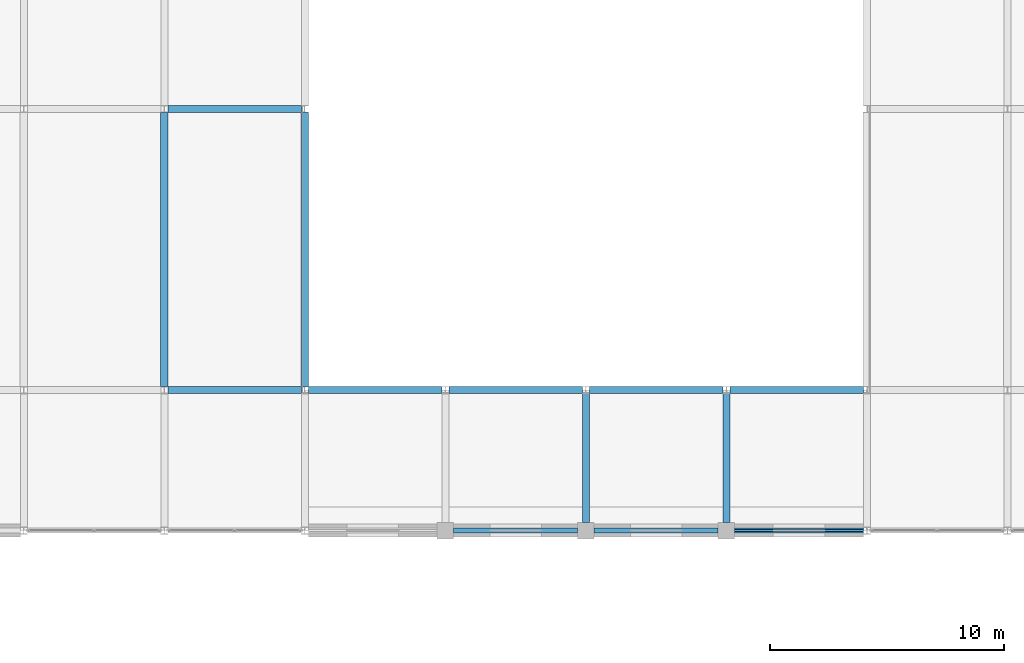
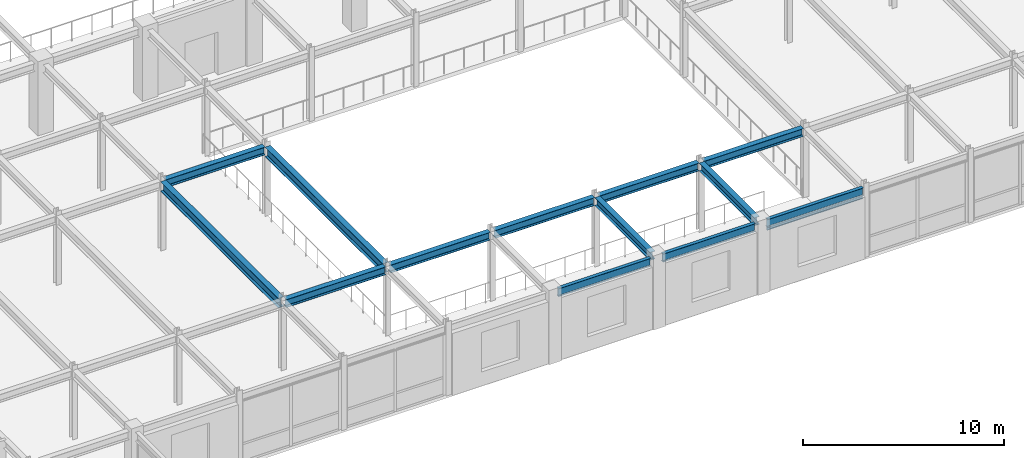
# One storey, part 53 of 108: 14 beams.
"""IFC4 building model written with IfcOpenShell, lengths in metres."""

import ifcopenshell
import ifcopenshell.guid

model = None  # the IFC model being written
_history = None  # IfcOwnerHistory: only IFC2X3 demands one
_inside = {}  # id of a spatial element -> (the spatial element, [elements in it])
_under = {}  # id of a project, library or spatial element -> (it, [spatial elements below it])
_declared = {}  # id of a project -> (the project, [libraries it declares])
_typed = {}  # id of a type object -> (the type object, [elements of that type])
_made_of = {}  # id of a material, layer set ... -> (it, [elements and type objects made of it])


def new_model(schema):
    """Start an empty IFC model of exactly this schema.

    Asked for "IFC4X3", IfcOpenShell would pick the latest addendum, in which some entities
    have other attributes; the version numbers below select the first issue.
    IFC2X3 requires an IfcOwnerHistory on every rooted entity: one is made here for all.
    """
    global model, _history
    if schema == "IFC4X3":
        model = ifcopenshell.file(schema_version=(4, 3, 0, 0))
    else:
        model = ifcopenshell.file(schema=schema)
    _inside.clear()
    _under.clear()
    _declared.clear()
    _typed.clear()
    _made_of.clear()
    _history = None
    if model.schema == "IFC2X3":
        org = make("IfcOrganization", Name="unknown")
        user = make(
            "IfcPersonAndOrganization",
            ThePerson=make("IfcPerson", FamilyName="unknown"),
            TheOrganization=org,
        )
        app = make(
            "IfcApplication",
            ApplicationDeveloper=org,
            Version="unknown",
            ApplicationFullName="unknown",
            ApplicationIdentifier="unknown",
        )
        _history = make(
            "IfcOwnerHistory",
            OwningUser=user,
            OwningApplication=app,
            ChangeAction="ADDED",
            CreationDate=0,
        )
    return model


def make(cls, **values):
    """One entity of the class cls with the attributes given. An attribute that is None is left unset."""
    return model.create_entity(
        cls, **{name: value for name, value in values.items() if value is not None}
    )


def rooted(cls, **values):
    """An entity with a GlobalId (a new one), such as an element, a storey or a relation."""
    return make(cls, GlobalId=ifcopenshell.guid.new(), OwnerHistory=_history, **values)


def si_unit(unit_type, name, prefix=None):
    """IfcSIUnit, for example si_unit("LENGTHUNIT", "METRE", prefix="MILLI")."""
    return make("IfcSIUnit", UnitType=unit_type, Prefix=prefix, Name=name)


def assignment(units):
    """IfcUnitAssignment: the units of a project."""
    return None if units is None else make("IfcUnitAssignment", Units=units)


def point(xyz):
    """IfcCartesianPoint."""
    return None if xyz is None else make("IfcCartesianPoint", Coordinates=xyz)


def direction(xyz):
    """IfcDirection."""
    return None if xyz is None else make("IfcDirection", DirectionRatios=xyz)


def frame(location, z_axis=None, x_axis=None):
    """IfcAxis2Placement3D, a coordinate frame: its origin and axes. An axis left out is left unset."""
    return make(
        "IfcAxis2Placement3D",
        Location=point(location),
        Axis=direction(z_axis),
        RefDirection=direction(x_axis),
    )


def frame_2d(location, x_axis=None):
    """IfcAxis2Placement2D, a coordinate frame in the plane: its origin and x axis."""
    return make(
        "IfcAxis2Placement2D", Location=point(location), RefDirection=direction(x_axis)
    )


def origin():
    """The frame at (0, 0, 0) with its axes left unset."""
    return frame((0.0, 0.0, 0.0))


def origin_2d():
    """The frame at (0, 0) in the plane with its x axis left unset."""
    return frame_2d((0.0, 0.0))


def place(relative_to, where):
    """IfcLocalPlacement: puts the frame where relative to a parent placement (None: the world)."""
    return make(
        "IfcLocalPlacement", PlacementRelTo=relative_to, RelativePlacement=where
    )


def context(
    kind, dimensions, precision=None, world=None, true_north=None, identifier=None
):
    """IfcGeometricRepresentationContext, for example the 3D "Model" context."""
    return make(
        "IfcGeometricRepresentationContext",
        ContextIdentifier=identifier,
        ContextType=kind,
        CoordinateSpaceDimension=dimensions,
        Precision=precision,
        WorldCoordinateSystem=world,
        TrueNorth=true_north,
    )


def subcontext(parent, identifier, kind, view, scale=None):
    """IfcGeometricRepresentationSubContext, for example "Body" below "Model"."""
    return make(
        "IfcGeometricRepresentationSubContext",
        ContextIdentifier=identifier,
        ContextType=kind,
        ParentContext=parent,
        TargetScale=scale,
        TargetView=view,
    )


def project(units=None, contexts=None):
    """IfcProject with its units and contexts."""
    return rooted(
        "IfcProject",
        Name="project",
        RepresentationContexts=contexts,
        UnitsInContext=assignment(units),
    )


def spatial(cls, under=None, at=None, **own):
    """A site, building, storey or space (cls), placed at a placement, below another one or the project."""
    s = rooted(cls, ObjectPlacement=at, **own)
    if under is not None:
        _under.setdefault(under.id(), (under, []))[1].append(s)
    return s


def profile(cls, at=None, kind="AREA", **sizes):
    """A parametric profile (cls). Its sizes go by their IFC names, for example OverallWidth=200.0."""
    return make(cls, ProfileType=kind, Position=at, **sizes)


def i_section(**sizes):
    """IfcIShapeProfileDef."""
    return profile("IfcIShapeProfileDef", **sizes)


def extrude(swept, where, along, depth):
    """IfcExtrudedAreaSolid: the profile swept, set in the frame where, extruded along a direction by depth."""
    return make(
        "IfcExtrudedAreaSolid",
        SweptArea=swept,
        Position=where,
        ExtrudedDirection=direction(along),
        Depth=depth,
    )


def shape(context_of_items, identifier, shape_type, items):
    """IfcShapeRepresentation: the items that make up one representation, for example the "Body"."""
    return make(
        "IfcShapeRepresentation",
        ContextOfItems=context_of_items,
        RepresentationIdentifier=identifier,
        RepresentationType=shape_type,
        Items=items,
    )


def material(Name=None, Category=None):
    """IfcMaterial."""
    return make("IfcMaterial", Name=Name, Category=Category)


def material_profile(
    of_material, cross_section, Name=None, Category=None, Priority=None
):
    """IfcMaterialProfile: a cross section and its material."""
    return make(
        "IfcMaterialProfile",
        Name=Name,
        Material=of_material,
        Profile=cross_section,
        Priority=Priority,
        Category=Category,
    )


def profile_set(profiles, Name=None, composite=None):
    """IfcMaterialProfileSet."""
    return make(
        "IfcMaterialProfileSet",
        Name=Name,
        MaterialProfiles=profiles,
        CompositeProfile=composite,
    )


def made_of(thing, what):
    """Note that an element or type object is made of a material, layer set ...; save() writes the relation."""
    if what is not None:
        _made_of.setdefault(what.id(), (what, []))[1].append(thing)
    return thing


def type_object(cls, material=None, **own):
    """A type object (cls), such as IfcWallType, which elements share."""
    return made_of(rooted(cls, **own), material)


def element(
    cls,
    number,
    at=None,
    inside=None,
    cuts=None,
    type_object=None,
    material=None,
    context=None,
    identifier="Body",
    shape_type=None,
    held_by="IfcProductDefinitionShape",
    body=None,
    shapes=None,
    **own,
):
    """One element of the class cls, such as IfcWall. Its Tag is "e" and its number.

    at: its placement. inside: the storey or other place that contains it. cuts: it is an
    opening in that element (IfcRelVoidsElement). A single representation is given by context,
    identifier, shape_type and body (its items); several are given by shapes. held_by: the class
    of the entity that holds the representations. save() writes the other relations.
    """
    e = rooted(cls, Tag="e%d" % number, ObjectPlacement=at, **own)
    if body is not None:
        shapes = [shape(context, identifier, shape_type, body)]
    if shapes is not None:
        e.Representation = make(held_by, Representations=shapes)
    if inside is not None:
        _inside.setdefault(inside.id(), (inside, []))[1].append(e)
    if cuts is not None:
        rooted(
            "IfcRelVoidsElement", RelatingBuildingElement=cuts, RelatedOpeningElement=e
        )
    if type_object is not None:
        _typed.setdefault(type_object.id(), (type_object, []))[1].append(e)
    return made_of(e, material)


def aggregate(whole, parts):
    """IfcRelAggregates: a whole, such as a stair, and the parts it consists of."""
    return rooted("IfcRelAggregates", RelatingObject=whole, RelatedObjects=parts)


def save(model, path):
    """Write the relations noted so far, then the file.

    IfcRelAggregates (storeys below a building ...), IfcRelContainedInSpatialStructure (elements
    in a storey), IfcRelDefinesByType, IfcRelAssociatesMaterial and IfcRelDeclares: one each for
    every whole, place, type object, material and project.
    """
    for whole, parts in _under.values():
        aggregate(whole, parts)
    for where, things in _inside.values():
        rooted(
            "IfcRelContainedInSpatialStructure",
            RelatedElements=things,
            RelatingStructure=where,
        )
    for kind, things in _typed.values():
        rooted("IfcRelDefinesByType", RelatedObjects=things, RelatingType=kind)
    for what, things in _made_of.values():
        rooted("IfcRelAssociatesMaterial", RelatedObjects=things, RelatingMaterial=what)
    for by, libraries in _declared.values():
        rooted("IfcRelDeclares", RelatingContext=by, RelatedDefinitions=libraries)
    model.write(path)


model = new_model("IFC4")

# Units and contexts
model_context = context("Model", 3, precision=1e-05, world=origin(), true_north=direction((0.0, 1.0)))
body_context = subcontext(model_context, "Body", "Model", "MODEL_VIEW")
ifc_project = project(units=[si_unit("LENGTHUNIT", "METRE"), si_unit("AREAUNIT", "SQUARE_METRE"), si_unit("VOLUMEUNIT", "CUBIC_METRE"), si_unit("PLANEANGLEUNIT", "RADIAN"), si_unit("MASSUNIT", "GRAM", prefix="KILO")], contexts=[model_context])

# Site, building, storey
site_placement = place(None, origin())
site = spatial("IfcSite", under=ifc_project, at=site_placement, CompositionType="ELEMENT")
building_placement = place(site_placement, origin())
building = spatial("IfcBuilding", under=site, at=building_placement, Name="Zlatovratsky Civic Hall", CompositionType="ELEMENT")
storey_placement = place(building_placement, frame((0.0, 0.0, 12.0)))
storey = spatial("IfcBuildingStorey", under=building, at=storey_placement, Name="L03", CompositionType="ELEMENT", Elevation=12.0)

# Beams
ifc_material = material(Name="Steel S355", Category="steel")
ifc_material_profile_1 = material_profile(ifc_material, i_section(OverallWidth=0.300048828125, OverallDepth=0.48193359375, WebThickness=0.010986328125, FlangeThickness=0.014892578125, FilletRadius=0.02392578125, at=origin_2d()), Name="50Sh1")
ifc_profile_set_1 = profile_set([ifc_material_profile_1], Name="Steel S355")
beam_type_1 = type_object("IfcBeamType", Name="Beam_LibraryGirder_50Sh1", PredefinedType="BEAM", material=ifc_profile_set_1)
for number, where, z_axis, x_axis, name in (
    (1, (66.1494140625, 18.0, 3.97900390625), (1.0, 0.0, 0.0), (0.0, 1.0, 0.0), "BM-2511"),
    (2, (72.1494140625, 18.0, 3.97900390625), (1.0, 0.0, 0.0), (0.0, 1.0, 0.0), "BM-2512"),
    (3, (78.1494140625, 18.0, 3.97900390625), (1.0, 0.0, 0.0), (0.0, 1.0, 0.0), "BM-2513"),
    (4, (84.1494140625, 18.0, 3.97900390625), (1.0, 0.0, 0.0), (0.0, 1.0, 0.0), "BM-2514"),
    (5, (90.1494140625, 18.0, 3.97900390625), (1.0, 0.0, 0.0), (0.0, 1.0, 0.0), "BM-2515"),
    (6, (66.1494140625, 30.0, 3.97900390625), (1.0, 0.0, 0.0), (0.0, 1.0, 0.0), "BM-2533"),
):
    element("IfcBeam", number, at=place(storey_placement, frame(where, z_axis=z_axis, x_axis=x_axis)), inside=storey, type_object=beam_type_1, Name=name, PredefinedType="BEAM", context=body_context, shape_type="SweptSolid", body=[
        extrude(i_section(OverallWidth=0.300048828125, OverallDepth=0.48193359375, WebThickness=0.010986328125, FlangeThickness=0.014892578125, FilletRadius=0.02392578125, at=origin_2d()), origin(), (0.0, 0.0, 1.0), 5.701171875),
    ])
for number, where, z_axis, x_axis, name in (
    (7, (84.0, 12.35009765625, 3.97900390625), (0.0, 1.0, 0.0), (-1.0, 0.0, 0.0), "BM-2952"),
    (8, (90.0, 12.35009765625, 3.97900390625), (0.0, 1.0, 0.0), (-1.0, 0.0, 0.0), "BM-2961"),
):
    element("IfcBeam", number, at=place(storey_placement, frame(where, z_axis=z_axis, x_axis=x_axis)), inside=storey, type_object=beam_type_1, Name=name, PredefinedType="BEAM", context=body_context, shape_type="SweptSolid", body=[
        extrude(i_section(OverallWidth=0.300048828125, OverallDepth=0.48193359375, WebThickness=0.010986328125, FlangeThickness=0.014892578125, FilletRadius=0.02392578125, at=origin_2d()), origin(), (0.0, 0.0, 1.0), 5.501953125),
    ])
ifc_material_profile_2 = material_profile(ifc_material, i_section(OverallWidth=0.320068359375, OverallDepth=0.58203125, WebThickness=0.011962890625, FlangeThickness=0.01708984375, FilletRadius=0.02392578125, at=origin_2d()), Name="60Sh1")
ifc_profile_set_2 = profile_set([ifc_material_profile_2], Name="Steel S355")
beam_type_2 = type_object("IfcBeamType", Name="Beam_PodiumGirder_60Sh1", PredefinedType="BEAM", material=ifc_profile_set_2)
for number, where, z_axis, x_axis, name in (
    (9, (66.0, 18.14794921875, 3.928955078125), (0.0, 1.0, 0.0), (-1.0, 0.0, 0.0), "BM-2917"),
    (10, (72.0, 18.14794921875, 3.928955078125), (0.0, 1.0, 0.0), (-1.0, 0.0, 0.0), "BM-2933"),
):
    element("IfcBeam", number, at=place(storey_placement, frame(where, z_axis=z_axis, x_axis=x_axis)), inside=storey, type_object=beam_type_2, Name=name, PredefinedType="BEAM", context=body_context, shape_type="SweptSolid", body=[
        extrude(i_section(OverallWidth=0.320068359375, OverallDepth=0.58203125, WebThickness=0.011962890625, FlangeThickness=0.01708984375, FilletRadius=0.02392578125, at=origin_2d()), origin(), (0.0, 0.0, 1.0), 11.7041015625),
    ])
ifc_material_profile_3 = material_profile(ifc_material, i_section(OverallWidth=0.198974609375, OverallDepth=0.491943359375, WebThickness=0.0087890625, FlangeThickness=0.011962890625, FilletRadius=0.01611328125, at=origin_2d()), Name="50B1")
ifc_profile_set_3 = profile_set([ifc_material_profile_3], Name="Steel S355")
beam_type_3 = type_object("IfcBeamType", Name="Beam_Spandrel_50B1", PredefinedType="SPANDREL", material=ifc_profile_set_3)
for number, where, z_axis, x_axis, name in (
    (11, (78.35009765625, 12.0, 3.97412109375), (1.0, 0.0, 0.0), (0.0, 1.0, 0.0), "BM-2491"),
    (12, (84.35009765625, 12.0, 3.97412109375), (1.0, 0.0, 0.0), (0.0, 1.0, 0.0), "BM-2492"),
):
    element("IfcBeam", number, at=place(storey_placement, frame(where, z_axis=z_axis, x_axis=x_axis)), inside=storey, type_object=beam_type_3, Name=name, PredefinedType="SPANDREL", context=body_context, shape_type="SweptSolid", body=[
        extrude(i_section(OverallWidth=0.198974609375, OverallDepth=0.491943359375, WebThickness=0.0087890625, FlangeThickness=0.011962890625, FilletRadius=0.01611328125, at=origin_2d()), origin(), (0.0, 0.0, 1.0), 5.2998046875),
    ])
beam_1_placement = place(storey_placement, frame((90.35009765625, 12.0, 3.97412109375), z_axis=(1.0, 0.0, 0.0), x_axis=(0.0, 1.0, 0.0)))
element("IfcBeam", 13, at=beam_1_placement, inside=storey, type_object=beam_type_3, Name="BM-2493", PredefinedType="SPANDREL", context=body_context, shape_type="SweptSolid", body=[
    extrude(i_section(OverallWidth=0.198974609375, OverallDepth=0.491943359375, WebThickness=0.0087890625, FlangeThickness=0.011962890625, FilletRadius=0.01611328125, at=origin_2d()), origin(), (0.0, 0.0, 1.0), 5.50048828125),
])
ifc_material_profile_4 = material_profile(ifc_material, i_section(OverallWidth=0.08203125, OverallDepth=0.156982421875, WebThickness=0.00390625, FlangeThickness=0.005859375, FilletRadius=0.009033203125, at=origin_2d()), Name="16B1")
ifc_profile_set_4 = profile_set([ifc_material_profile_4], Name="Steel S355")
beam_type_4 = type_object("IfcBeamType", Name="Lintel_Window_16B1", PredefinedType="LINTEL", material=ifc_profile_set_4)
beam_2_placement = place(storey_placement, frame((90.35009765625, 12.0, 3.60009765625), z_axis=(1.0, 0.0, 0.0), x_axis=(0.0, 1.0, 0.0)))
element("IfcBeam", 14, at=beam_2_placement, inside=storey, type_object=beam_type_4, Name="BM-5405", PredefinedType="LINTEL", context=body_context, shape_type="SweptSolid", body=[
    extrude(i_section(OverallWidth=0.08203125, OverallDepth=0.156982421875, WebThickness=0.00390625, FlangeThickness=0.005859375, FilletRadius=0.009033203125, at=origin_2d()), origin(), (0.0, 0.0, 1.0), 5.50048828125),
])

save(model, "model.ifc")
